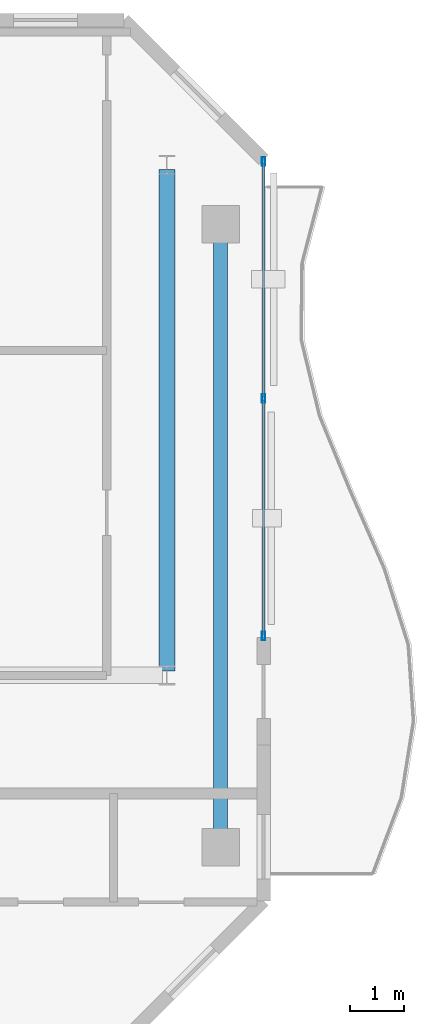
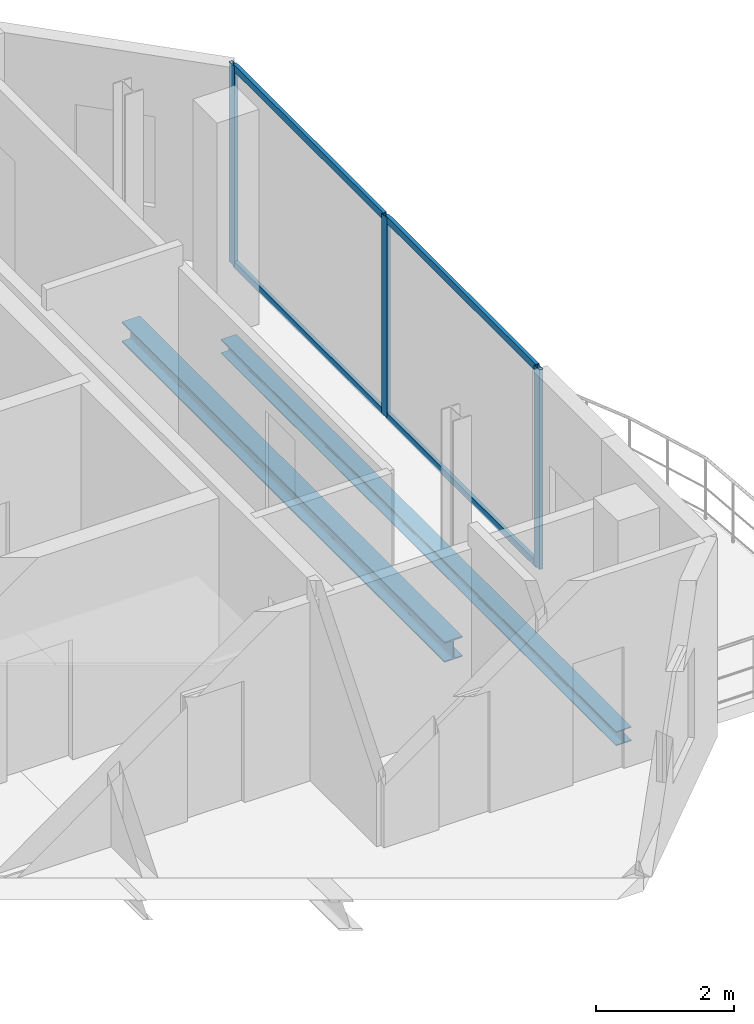
# One storey, part 11 of 17: 7 members, 2 beams, 1 element without a shape of its own.
"""IFC4 building model written with IfcOpenShell, lengths in metres."""

from ifc_helpers import new_model, si_unit, direction, frame, origin, origin_2d, place, context, subcontext, project, spatial, hollow_rectangle, i_section, extrude, material, layer, layer_set, material_profile, profile_set, type_object, element, aggregate, save


model = new_model("IFC4")

# Units and contexts
model_context = context("Model", 3, precision=1e-05, world=origin(), true_north=direction((0.0, 1.0)))
body_context = subcontext(model_context, "Body", "Model", "MODEL_VIEW")
ifc_project = project(units=[si_unit("LENGTHUNIT", "METRE"), si_unit("AREAUNIT", "SQUARE_METRE"), si_unit("VOLUMEUNIT", "CUBIC_METRE"), si_unit("PLANEANGLEUNIT", "RADIAN"), si_unit("MASSUNIT", "GRAM", prefix="KILO")], contexts=[model_context])

# Site, building, storey
site_placement = place(None, origin())
site = spatial("IfcSite", under=ifc_project, at=site_placement, CompositionType="ELEMENT")
building_placement = place(site_placement, origin())
building = spatial("IfcBuilding", under=site, at=building_placement, Name="Catumbela Crestline Tower", CompositionType="ELEMENT")
storey_placement = place(building_placement, frame((0.0, 0.0, 271.6)))
storey = spatial("IfcBuildingStorey", under=building, at=storey_placement, Name="L70", CompositionType="ELEMENT", Elevation=271.6)

# Beam
ifc_material_1 = material(Name="Structural steel S355J2", Category="steel")
ifc_material_profile_1 = material_profile(ifc_material_1, i_section(OverallWidth=0.3, OverallDepth=0.36, WebThickness=0.0125, FlangeThickness=0.0225, FilletRadius=0.027, at=origin_2d()), Name="HEB 360")
ifc_profile_set_1 = profile_set([ifc_material_profile_1], Name="Structural steel S355J2")
beam_type_1 = type_object("IfcBeamType", Name="BG-HEB360", PredefinedType="BEAM", material=ifc_profile_set_1)
beam_1_placement = place(storey_placement, frame((44.2, 30.88, -0.44), z_axis=(0.0, 1.0, 0.0), x_axis=(-1.0, 0.0, 0.0)))
element("IfcBeam", 1, at=beam_1_placement, inside=storey, type_object=beam_type_1, Name="L70 Beam BM-L70-SN10", PredefinedType="BEAM", context=body_context, shape_type="SweptSolid", body=[
    extrude(i_section(OverallWidth=0.3, OverallDepth=0.36, WebThickness=0.0125, FlangeThickness=0.0225, FilletRadius=0.027, at=origin_2d()), origin(), (0.0, 0.0, 1.0), 9.34),
])

# Curtain wall, members
ifc_material_2 = material(Name="Aluminium alloy AW-6060-T66", Category="aluminium")
ifc_layer = layer(ifc_material_2, 0.18, Name="Aluminium alloy AW-6060-T66")
ifc_layer_set = layer_set([ifc_layer], Name="Aluminium alloy AW-6060-T66")
curtain_wall_type = type_object("IfcCurtainWallType", Name="CWU-Z4", PredefinedType="USERDEFINED", material=ifc_layer_set)
curtain_wall_placement = place(storey_placement, origin())
curtain_wall = element("IfcCurtainWall", 2, at=curtain_wall_placement, inside=storey, type_object=curtain_wall_type, Name="L70 Unitised Curtain Wall CW-L70-E5S2", ObjectType="UNITISED", PredefinedType="USERDEFINED")
ifc_material_profile_2 = material_profile(ifc_material_2, hollow_rectangle(XDim=0.06, YDim=0.16, WallThickness=0.004, at=origin_2d()), Name="ALU 160x60x4")
ifc_profile_set_2 = profile_set([ifc_material_profile_2], Name="Aluminium alloy AW-6060-T66")
member_type_1 = type_object("IfcMemberType", Name="MUL-160X60", PredefinedType="MULLION", material=ifc_profile_set_2)
member_1_placement = place(storey_placement, frame((46.0, 31.5325, 0.0), z_axis=(0.0, 0.0, 1.0), x_axis=(-1.0, 0.0, 0.0)))
member_1 = element("IfcMember", 3, at=member_1_placement, type_object=member_type_1, Name="CWU-Z4 mullion 1", PredefinedType="MULLION", context=body_context, shape_type="SweptSolid", body=[
    extrude(hollow_rectangle(XDim=0.06, YDim=0.16, WallThickness=0.004, at=origin_2d()), origin(), (0.0, 0.0, 1.0), 3.53),
])
member_2_placement = place(storey_placement, frame((46.0, 35.95, 0.0), z_axis=(0.0, 0.0, 1.0), x_axis=(-1.0, 0.0, 0.0)))
member_2 = element("IfcMember", 4, at=member_2_placement, type_object=member_type_1, Name="CWU-Z4 mullion 2", PredefinedType="MULLION", context=body_context, shape_type="SweptSolid", body=[
    extrude(hollow_rectangle(XDim=0.06, YDim=0.16, WallThickness=0.004, at=origin_2d()), origin(), (0.0, 0.0, 1.0), 3.53),
])
member_3_placement = place(storey_placement, frame((46.0, 40.3675, 0.0), z_axis=(0.0, 0.0, 1.0), x_axis=(-1.0, 0.0, 0.0)))
member_3 = element("IfcMember", 5, at=member_3_placement, type_object=member_type_1, Name="CWU-Z4 mullion 3", PredefinedType="MULLION", context=body_context, shape_type="SweptSolid", body=[
    extrude(hollow_rectangle(XDim=0.06, YDim=0.16, WallThickness=0.004, at=origin_2d()), origin(), (0.0, 0.0, 1.0), 3.53),
])

# Beam
ifc_material_profile_3 = material_profile(ifc_material_1, i_section(OverallWidth=0.26, OverallDepth=0.25, WebThickness=0.0075, FlangeThickness=0.0125, FilletRadius=0.024, at=origin_2d()), Name="HEA 260")
ifc_profile_set_3 = profile_set([ifc_material_profile_3], Name="Structural steel S355J2")
beam_type_2 = type_object("IfcBeamType", Name="BS-HEA260", PredefinedType="SPANDREL", material=ifc_profile_set_3)
beam_2_placement = place(storey_placement, frame((45.2, 27.68, -0.385), z_axis=(0.0, 1.0, 0.0), x_axis=(-1.0, 0.0, 0.0)))
element("IfcBeam", 6, at=beam_2_placement, inside=storey, type_object=beam_type_2, Name="L70 Spandrel SP-L70-SN11", PredefinedType="SPANDREL", context=body_context, shape_type="SweptSolid", body=[
    extrude(i_section(OverallWidth=0.26, OverallDepth=0.25, WebThickness=0.0075, FlangeThickness=0.0125, FilletRadius=0.024, at=origin_2d()), origin(), (0.0, 0.0, 1.0), 11.44),
])

# Member
ifc_material_profile_4 = material_profile(ifc_material_2, hollow_rectangle(XDim=0.06, YDim=0.12, WallThickness=0.0035, at=origin_2d()), Name="ALU 120x60x3.5")
ifc_profile_set_4 = profile_set([ifc_material_profile_4], Name="Aluminium alloy AW-6060-T66")
member_type_2 = type_object("IfcMemberType", Name="TRN-120X60", PredefinedType="USERDEFINED", material=ifc_profile_set_4)
member_4_placement = place(storey_placement, frame((46.0, 31.565, 0.03), z_axis=(0.0, 1.0, 0.0), x_axis=(-1.0, 0.0, 0.0)))
member_4 = element("IfcMember", 7, at=member_4_placement, type_object=member_type_2, Name="CWU-Z4 transom 1.1", ObjectType="TRANSOM", PredefinedType="USERDEFINED", context=body_context, shape_type="SweptSolid", body=[
    extrude(hollow_rectangle(XDim=0.06, YDim=0.12, WallThickness=0.0035, at=origin_2d()), origin(), (0.0, 0.0, 1.0), 4.3525),
])

member_5_placement = place(storey_placement, frame((46.0, 31.565, 3.5), z_axis=(0.0, 1.0, 0.0), x_axis=(-1.0, 0.0, 0.0)))
member_5 = element("IfcMember", 8, at=member_5_placement, type_object=member_type_2, Name="CWU-Z4 transom 1.2", ObjectType="TRANSOM", PredefinedType="USERDEFINED", context=body_context, shape_type="SweptSolid", body=[
    extrude(hollow_rectangle(XDim=0.06, YDim=0.12, WallThickness=0.0035, at=origin_2d()), origin(), (0.0, 0.0, 1.0), 4.3525),
])

member_6_placement = place(storey_placement, frame((46.0, 35.9825, 0.03), z_axis=(0.0, 1.0, 0.0), x_axis=(-1.0, 0.0, 0.0)))
member_6 = element("IfcMember", 9, at=member_6_placement, type_object=member_type_2, Name="CWU-Z4 transom 2.1", ObjectType="TRANSOM", PredefinedType="USERDEFINED", context=body_context, shape_type="SweptSolid", body=[
    extrude(hollow_rectangle(XDim=0.06, YDim=0.12, WallThickness=0.0035, at=origin_2d()), origin(), (0.0, 0.0, 1.0), 4.3525),
])

member_7_placement = place(storey_placement, frame((46.0, 35.9825, 3.5), z_axis=(0.0, 1.0, 0.0), x_axis=(-1.0, 0.0, 0.0)))
member_7 = element("IfcMember", 10, at=member_7_placement, type_object=member_type_2, Name="CWU-Z4 transom 2.2", ObjectType="TRANSOM", PredefinedType="USERDEFINED", context=body_context, shape_type="SweptSolid", body=[
    extrude(hollow_rectangle(XDim=0.06, YDim=0.12, WallThickness=0.0035, at=origin_2d()), origin(), (0.0, 0.0, 1.0), 4.3525),
])

aggregate(curtain_wall, [member_1, member_2, member_3, member_4, member_5, member_6, member_7])

save(model, "model.ifc")
